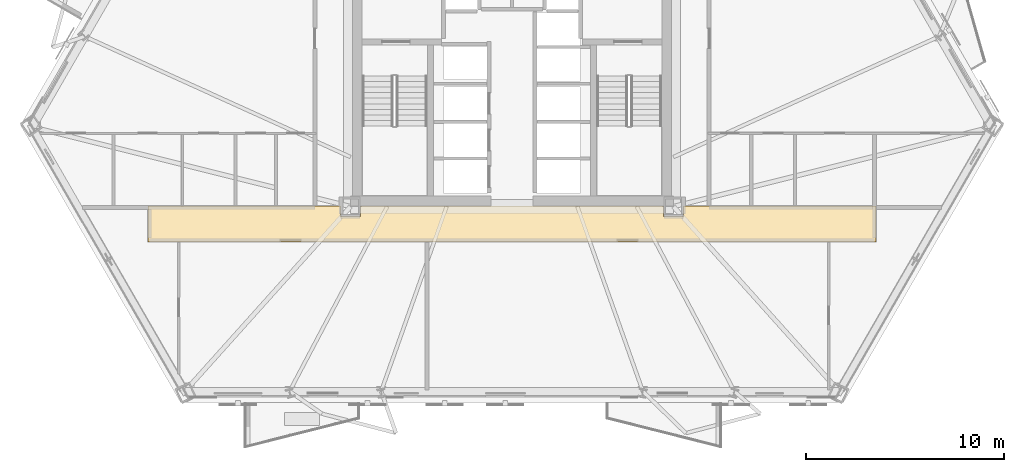
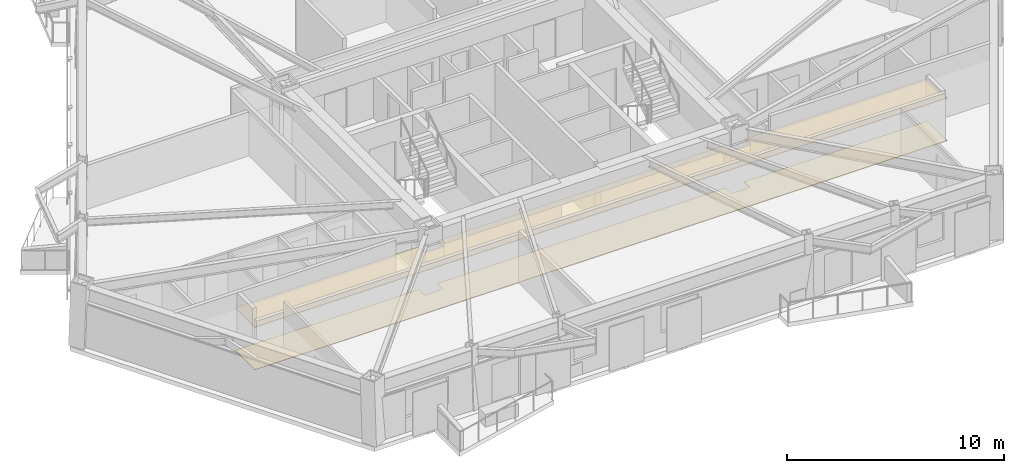
# One storey, part 9 of 12: 2 coverings.
"""IFC4 building model written with IfcOpenShell, lengths in metres."""

from ifc_helpers import new_model, si_unit, direction, frame, origin, place, context, subcontext, project, spatial, polyline, outline, extrude, material, layer, layer_set, type_object, element, save


model = new_model("IFC4")

# Units and contexts
model_context = context("Model", 3, precision=1e-05, world=origin(), true_north=direction((0.0, 1.0)))
body_context = subcontext(model_context, "Body", "Model", "MODEL_VIEW")
ifc_project = project(units=[si_unit("LENGTHUNIT", "METRE"), si_unit("AREAUNIT", "SQUARE_METRE"), si_unit("VOLUMEUNIT", "CUBIC_METRE"), si_unit("PLANEANGLEUNIT", "RADIAN"), si_unit("MASSUNIT", "GRAM", prefix="KILO")], contexts=[model_context])

# Site, building, storey
site_placement = place(None, origin())
site = spatial("IfcSite", under=ifc_project, at=site_placement, CompositionType="ELEMENT")
building_placement = place(site_placement, origin())
building = spatial("IfcBuilding", under=site, at=building_placement, Name="Oramaril Tower", CompositionType="ELEMENT")
storey_placement = place(building_placement, frame((0.0, 0.0, 34.5)))
storey = spatial("IfcBuildingStorey", under=building, at=storey_placement, Name="L08", CompositionType="ELEMENT", Elevation=34.5)

# Coverings
ifc_material_1 = material(Name="Mineral Fibre Acoustic Ceiling")
ifc_layer_1 = layer(ifc_material_1, 0.02001953125)
ifc_layer_set_1 = layer_set([ifc_layer_1], Name="CVT-CEIL")
covering_type_1 = type_object("IfcCoveringType", Name="CVT-CEIL", PredefinedType="CEILING", material=ifc_layer_set_1)
covering_1_placement = place(storey_placement, frame((0.0, 0.0, 2.39990234375)))
element("IfcCovering", 1, at=covering_1_placement, inside=storey, type_object=covering_type_1, Name="L08 Acoustic Suspended Ceiling 1", PredefinedType="CEILING", context=body_context, shape_type="SweptSolid", body=[
    extrude(outline(polyline([(28.85498046875, 10.5048828125), (29.844970703125, 10.5048828125), (29.844970703125, 11.030029296875), (45.155029296875, 11.030029296875), (45.155029296875, 10.5048828125), (46.14501953125, 10.5048828125), (46.14501953125, 11.030029296875), (55.8798828125, 11.030029296875), (55.8798828125, 9.219970703125), (19.1201171875, 9.219970703125), (19.1201171875, 11.030029296875), (28.85498046875, 11.030029296875), (28.85498046875, 10.5048828125)])), origin(), (0.0, 0.0, 1.0), 0.02001953125),
])
ifc_material_2 = material(Name="Honed Quartzite Stone Flooring", Category="masonry")
ifc_layer_2 = layer(ifc_material_2, 0.02490234375)
ifc_layer_set_2 = layer_set([ifc_layer_2], Name="CVT-FLR")
covering_type_2 = type_object("IfcCoveringType", Name="CVT-FLR", PredefinedType="FLOORING", material=ifc_layer_set_2)
covering_2_placement = place(storey_placement, origin())
element("IfcCovering", 2, at=covering_2_placement, inside=storey, type_object=covering_type_2, Name="L08 Honed Stone Floor Finish 1", PredefinedType="FLOORING", context=body_context, shape_type="SweptSolid", body=[
    extrude(outline(polyline([(28.85498046875, 10.5048828125), (29.844970703125, 10.5048828125), (29.844970703125, 11.030029296875), (45.155029296875, 11.030029296875), (45.155029296875, 10.5048828125), (46.14501953125, 10.5048828125), (46.14501953125, 11.030029296875), (55.8798828125, 11.030029296875), (55.8798828125, 9.219970703125), (19.1201171875, 9.219970703125), (19.1201171875, 11.030029296875), (28.85498046875, 11.030029296875), (28.85498046875, 10.5048828125)])), origin(), (0.0, 0.0, 1.0), 0.02490234375),
])

save(model, "model.ifc")
